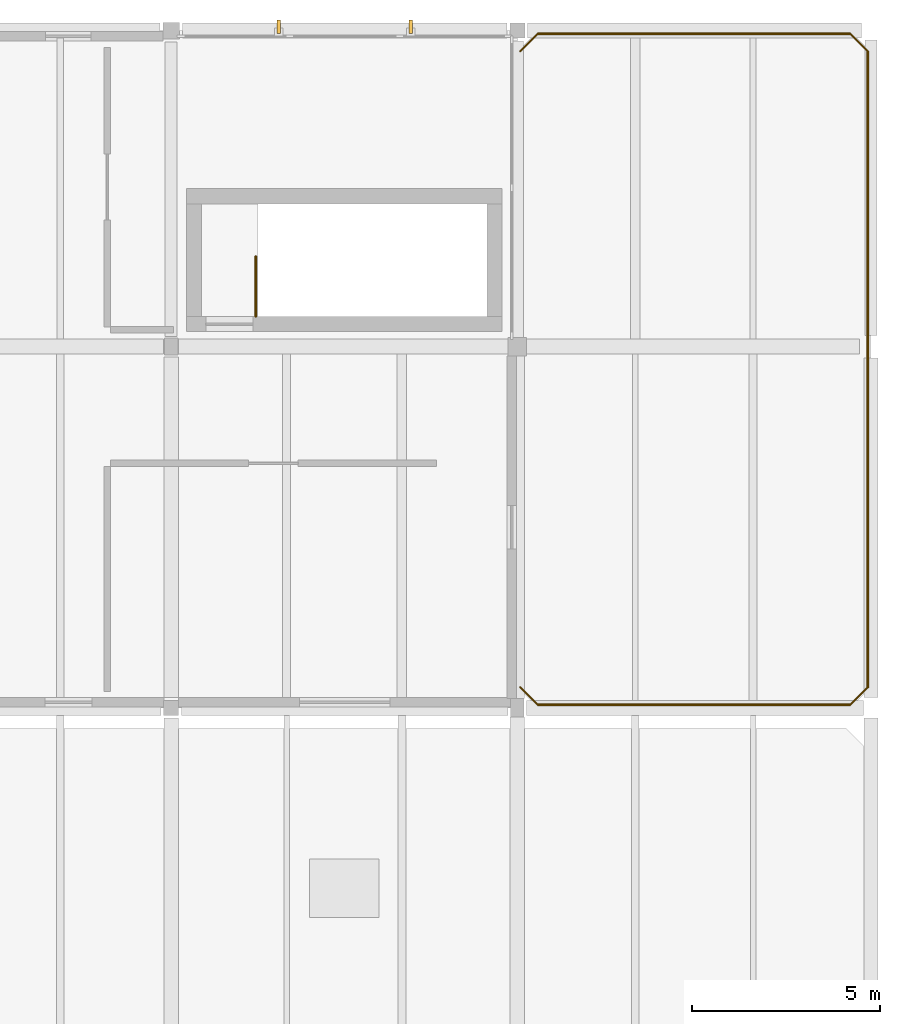
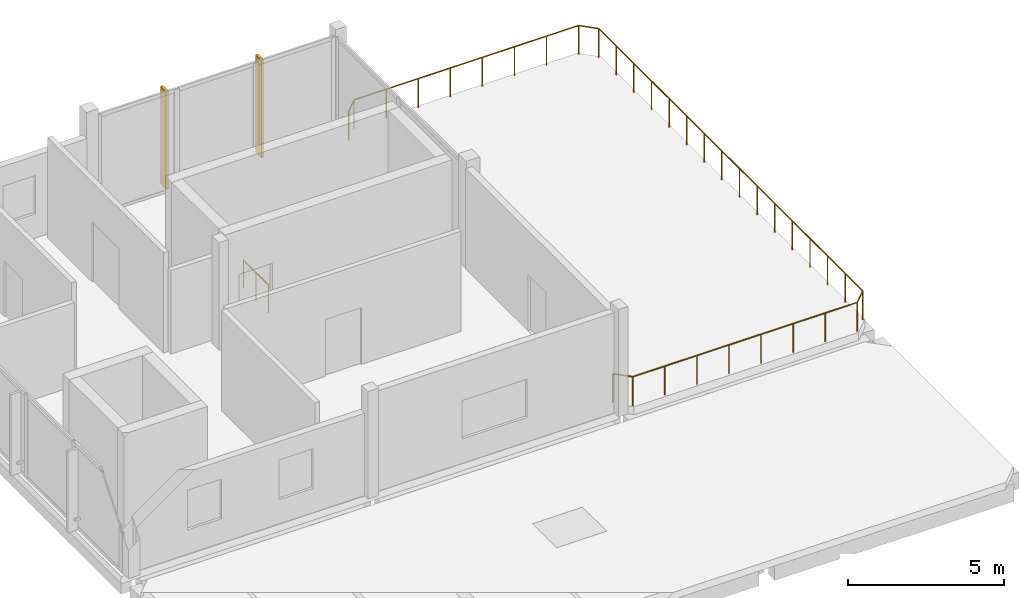
# One storey, part 35 of 35: 8 railings, 2 shading devices.
"""IFC4 building model written with IfcOpenShell, lengths in metres."""

from ifc_helpers import new_model, si_unit, direction, frame, origin, origin_2d, place, context, subcontext, project, spatial, rectangle, circle, extrude, material, type_object, element, save


model = new_model("IFC4")

# Units and contexts
model_context = context("Model", 3, precision=1e-05, world=origin(), true_north=direction((0.0, 1.0)))
body_context = subcontext(model_context, "Body", "Model", "MODEL_VIEW")
ifc_project = project(units=[si_unit("LENGTHUNIT", "METRE"), si_unit("AREAUNIT", "SQUARE_METRE"), si_unit("VOLUMEUNIT", "CUBIC_METRE"), si_unit("PLANEANGLEUNIT", "RADIAN"), si_unit("MASSUNIT", "GRAM", prefix="KILO")], contexts=[model_context])

# Site, building, storey
site_placement = place(None, origin())
site = spatial("IfcSite", under=ifc_project, at=site_placement, CompositionType="ELEMENT")
building_placement = place(site_placement, origin())
building = spatial("IfcBuilding", under=site, at=building_placement, Name="Birchvale Park Specialist Clinic", CompositionType="ELEMENT")
storey_placement = place(building_placement, frame((0.0, 0.0, 13.800048828125)))
storey = spatial("IfcBuildingStorey", under=building, at=storey_placement, Name="L03", CompositionType="ELEMENT", Elevation=13.800048828125)

# Railings
ifc_material_1 = material(Name="Brushed stainless steel and laminated glass balustrade", Category="steel")
railing_type_1 = type_object("IfcRailingType", Name="RL-BAL2", PredefinedType="BALUSTRADE", material=ifc_material_1)
railing_1_placement = place(storey_placement, frame((146.949951171875, 73.280029296875, 0.0)))
element("IfcRailing", 1, at=railing_1_placement, inside=storey, type_object=railing_type_1, Name="V6 L03 roof terrace guard balustrade 59", PredefinedType="BALUSTRADE", context=body_context, shape_type="SweptSolid", body=[
    extrude(circle(Radius=0.02392578125, at=origin_2d()), frame((0.0, 0.0, 1.1259765625), z_axis=(1.0, 0.0, 0.0), x_axis=(0.0, 1.0, 0.0)), (0.0, 0.0, 1.0), 8.300048828125),
    extrude(circle(Radius=0.02099609375, at=origin_2d()), origin(), (0.0, 0.0, 1.0), 1.101806640625),
    extrude(circle(Radius=0.02099609375, at=origin_2d()), frame((1.185791015625, 0.0, 0.0)), (0.0, 0.0, 1.0), 1.101806640625),
    extrude(circle(Radius=0.02099609375, at=origin_2d()), frame((2.371337890625, 0.0, 0.0)), (0.0, 0.0, 1.0), 1.101806640625),
    extrude(circle(Radius=0.02099609375, at=origin_2d()), frame((3.55712890625, 0.0, 0.0)), (0.0, 0.0, 1.0), 1.101806640625),
    extrude(circle(Radius=0.02099609375, at=origin_2d()), frame((4.742919921875, 0.0, 0.0)), (0.0, 0.0, 1.0), 1.101806640625),
    extrude(circle(Radius=0.02099609375, at=origin_2d()), frame((5.9287109375, 0.0, 0.0)), (0.0, 0.0, 1.0), 1.101806640625),
    extrude(circle(Radius=0.02099609375, at=origin_2d()), frame((7.1142578125, 0.0, 0.0)), (0.0, 0.0, 1.0), 1.101806640625),
    extrude(circle(Radius=0.02099609375, at=origin_2d()), frame((8.300048828125, 0.0, 0.0)), (0.0, 0.0, 1.0), 1.101806640625),
])
railing_2_placement = place(storey_placement, frame((155.25, 73.280029296875, 0.0)))
element("IfcRailing", 2, at=railing_2_placement, inside=storey, type_object=railing_type_1, Name="V6 L03 roof terrace guard balustrade 60", PredefinedType="BALUSTRADE", context=body_context, shape_type="SweptSolid", body=[
    extrude(circle(Radius=0.02392578125, at=origin_2d()), frame((0.0, 0.0, 1.1259765625), z_axis=(0.707106781187, 0.707106781187, 0.0), x_axis=(-0.707106781187, 0.707106781187, 0.0)), (0.0, 0.0, 1.0), 0.66455078125),
    extrude(circle(Radius=0.02099609375, at=origin_2d()), origin(), (0.0, 0.0, 1.0), 1.101806640625),
    extrude(circle(Radius=0.02099609375, at=origin_2d()), frame((0.469970703125, 0.469970703125, 0.0)), (0.0, 0.0, 1.0), 1.101806640625),
])
railing_3_placement = place(storey_placement, frame((155.719970703125, 73.75, 0.0)))
element("IfcRailing", 3, at=railing_3_placement, inside=storey, type_object=railing_type_1, Name="V6 L03 roof terrace guard balustrade 61", PredefinedType="BALUSTRADE", context=body_context, shape_type="SweptSolid", body=[
    extrude(circle(Radius=0.02392578125, at=origin_2d()), frame((0.0, 0.0, 1.1259765625), z_axis=(0.0, 1.0, 0.0), x_axis=(-1.0, 0.0, 0.0)), (0.0, 0.0, 1.0), 16.89990234375),
    extrude(circle(Radius=0.02099609375, at=origin_2d()), origin(), (0.0, 0.0, 1.0), 1.101806640625),
    extrude(circle(Radius=0.02099609375, at=origin_2d()), frame((0.0, 1.126708984375, 0.0)), (0.0, 0.0, 1.0), 1.101806640625),
    extrude(circle(Radius=0.02099609375, at=origin_2d()), frame((0.0, 2.25341796875, 0.0)), (0.0, 0.0, 1.0), 1.101806640625),
    extrude(circle(Radius=0.02099609375, at=origin_2d()), frame((0.0, 3.3798828125, 0.0)), (0.0, 0.0, 1.0), 1.101806640625),
    extrude(circle(Radius=0.02099609375, at=origin_2d()), frame((0.0, 4.506591796875, 0.0)), (0.0, 0.0, 1.0), 1.101806640625),
    extrude(circle(Radius=0.02099609375, at=origin_2d()), frame((0.0, 5.63330078125, 0.0)), (0.0, 0.0, 1.0), 1.101806640625),
    extrude(circle(Radius=0.02099609375, at=origin_2d()), frame((0.0, 6.760009765625, 0.0)), (0.0, 0.0, 1.0), 1.101806640625),
    extrude(circle(Radius=0.02099609375, at=origin_2d()), frame((0.0, 7.88671875, 0.0)), (0.0, 0.0, 1.0), 1.101806640625),
    extrude(circle(Radius=0.02099609375, at=origin_2d()), frame((0.0, 9.01318359375, 0.0)), (0.0, 0.0, 1.0), 1.101806640625),
    extrude(circle(Radius=0.02099609375, at=origin_2d()), frame((0.0, 10.139892578125, 0.0)), (0.0, 0.0, 1.0), 1.101806640625),
    extrude(circle(Radius=0.02099609375, at=origin_2d()), frame((0.0, 11.2666015625, 0.0)), (0.0, 0.0, 1.0), 1.101806640625),
    extrude(circle(Radius=0.02099609375, at=origin_2d()), frame((0.0, 12.393310546875, 0.0)), (0.0, 0.0, 1.0), 1.101806640625),
    extrude(circle(Radius=0.02099609375, at=origin_2d()), frame((0.0, 13.52001953125, 0.0)), (0.0, 0.0, 1.0), 1.101806640625),
    extrude(circle(Radius=0.02099609375, at=origin_2d()), frame((0.0, 14.646484375, 0.0)), (0.0, 0.0, 1.0), 1.101806640625),
    extrude(circle(Radius=0.02099609375, at=origin_2d()), frame((0.0, 15.773193359375, 0.0)), (0.0, 0.0, 1.0), 1.101806640625),
    extrude(circle(Radius=0.02099609375, at=origin_2d()), frame((0.0, 16.89990234375, 0.0)), (0.0, 0.0, 1.0), 1.101806640625),
])
railing_4_placement = place(storey_placement, frame((155.719970703125, 90.64990234375, 0.0)))
element("IfcRailing", 4, at=railing_4_placement, inside=storey, type_object=railing_type_1, Name="V6 L03 roof terrace guard balustrade 62", PredefinedType="BALUSTRADE", context=body_context, shape_type="SweptSolid", body=[
    extrude(circle(Radius=0.02392578125, at=origin_2d()), frame((0.0, 0.0, 1.1259765625), z_axis=(-0.706923140946, 0.707290373747, 0.0), x_axis=(-0.707290373747, -0.706923140946, 0.0)), (0.0, 0.0, 1.0), 0.664794921875),
    extrude(circle(Radius=0.02099609375, at=origin_2d()), origin(), (0.0, 0.0, 1.0), 1.101806640625),
    extrude(circle(Radius=0.02099609375, at=origin_2d()), frame((-0.469970703125, 0.47021484375, 0.0)), (0.0, 0.0, 1.0), 1.101806640625),
])
railing_5_placement = place(storey_placement, frame((155.25, 91.1201171875, 0.0)))
element("IfcRailing", 5, at=railing_5_placement, inside=storey, type_object=railing_type_1, Name="V6 L03 roof terrace guard balustrade 63", PredefinedType="BALUSTRADE", context=body_context, shape_type="SweptSolid", body=[
    extrude(circle(Radius=0.02392578125, at=origin_2d()), frame((0.0, 0.0, 1.1259765625), z_axis=(-1.0, 0.0, 0.0), x_axis=(0.0, -1.0, 0.0)), (0.0, 0.0, 1.0), 8.300048828125),
    extrude(circle(Radius=0.02099609375, at=origin_2d()), origin(), (0.0, 0.0, 1.0), 1.101806640625),
    extrude(circle(Radius=0.02099609375, at=origin_2d()), frame((-1.185791015625, 0.0, 0.0)), (0.0, 0.0, 1.0), 1.101806640625),
    extrude(circle(Radius=0.02099609375, at=origin_2d()), frame((-2.371337890625, 0.0, 0.0)), (0.0, 0.0, 1.0), 1.101806640625),
    extrude(circle(Radius=0.02099609375, at=origin_2d()), frame((-3.55712890625, 0.0, 0.0)), (0.0, 0.0, 1.0), 1.101806640625),
    extrude(circle(Radius=0.02099609375, at=origin_2d()), frame((-4.742919921875, 0.0, 0.0)), (0.0, 0.0, 1.0), 1.101806640625),
    extrude(circle(Radius=0.02099609375, at=origin_2d()), frame((-5.9287109375, 0.0, 0.0)), (0.0, 0.0, 1.0), 1.101806640625),
    extrude(circle(Radius=0.02099609375, at=origin_2d()), frame((-7.1142578125, 0.0, 0.0)), (0.0, 0.0, 1.0), 1.101806640625),
    extrude(circle(Radius=0.02099609375, at=origin_2d()), frame((-8.300048828125, 0.0, 0.0)), (0.0, 0.0, 1.0), 1.101806640625),
])
railing_6_placement = place(storey_placement, frame((146.949951171875, 91.1201171875, 0.0)))
element("IfcRailing", 6, at=railing_6_placement, inside=storey, type_object=railing_type_1, Name="V6 L03 roof terrace guard balustrade 64", PredefinedType="BALUSTRADE", context=body_context, shape_type="SweptSolid", body=[
    extrude(circle(Radius=0.02392578125, at=origin_2d()), frame((0.0, 0.0, 1.1259765625), z_axis=(-0.706923140946, -0.707290373747, 0.0), x_axis=(0.707290373747, -0.706923140946, 0.0)), (0.0, 0.0, 1.0), 0.664794921875),
    extrude(circle(Radius=0.02099609375, at=origin_2d()), origin(), (0.0, 0.0, 1.0), 1.101806640625),
    extrude(circle(Radius=0.02099609375, at=origin_2d()), frame((-0.469970703125, -0.47021484375, 0.0)), (0.0, 0.0, 1.0), 1.101806640625),
])
railing_7_placement = place(storey_placement, frame((146.47998046875, 73.75, 0.0)))
element("IfcRailing", 7, at=railing_7_placement, inside=storey, type_object=railing_type_1, Name="V6 L03 roof terrace guard balustrade 65", PredefinedType="BALUSTRADE", context=body_context, shape_type="SweptSolid", body=[
    extrude(circle(Radius=0.02392578125, at=origin_2d()), frame((0.0, 0.0, 1.1259765625), z_axis=(0.707106781187, -0.707106781187, 0.0), x_axis=(0.707106781187, 0.707106781187, 0.0)), (0.0, 0.0, 1.0), 0.66455078125),
    extrude(circle(Radius=0.02099609375, at=origin_2d()), origin(), (0.0, 0.0, 1.0), 1.101806640625),
    extrude(circle(Radius=0.02099609375, at=origin_2d()), frame((0.469970703125, -0.469970703125, 0.0)), (0.0, 0.0, 1.0), 1.101806640625),
])
ifc_material_2 = material(Name="Brushed stainless steel guard railing", Category="steel")
railing_type_2 = type_object("IfcRailingType", Name="RL-GRD1", PredefinedType="GUARDRAIL", material=ifc_material_2)
railing_8_placement = place(storey_placement, frame((139.449951171875, 83.60009765625, 0.0)))
element("IfcRailing", 8, at=railing_8_placement, inside=storey, type_object=railing_type_2, Name="L03 ST3 top well guard 1", PredefinedType="GUARDRAIL", context=body_context, shape_type="SweptSolid", body=[
    extrude(circle(Radius=0.02392578125, at=origin_2d()), frame((0.0, 0.0, 1.076171875), z_axis=(0.0, 1.0, 0.0), x_axis=(-1.0, 0.0, 0.0)), (0.0, 0.0, 1.0), 1.599853515625),
    extrude(circle(Radius=0.02099609375, at=origin_2d()), origin(), (0.0, 0.0, 1.0), 1.052001953125),
    extrude(circle(Radius=0.02099609375, at=origin_2d()), frame((0.0, 0.7998046875, 0.0)), (0.0, 0.0, 1.0), 1.052001953125),
    extrude(circle(Radius=0.02099609375, at=origin_2d()), frame((0.0, 1.599853515625, 0.0)), (0.0, 0.0, 1.0), 1.052001953125),
])

# Shading devices
ifc_material_3 = material(Name="Glulam GL28h", Category="wood")
shading_device_type = type_object("IfcShadingDeviceType", Name="SHD-FIN1", PredefinedType="USERDEFINED", material=ifc_material_3)
for number, where, z_axis, x_axis, name in (
    (9, (143.569580078125, 91.304931640625, 0.0498046875), (0.0, 0.0, 1.0), (0.0, 1.0, 0.0), "V6 L03 glulam solar fin 51"),
    (10, (140.055419921875, 91.304931640625, 0.0498046875), (0.0, 0.0, 1.0), (0.0, 1.0, 0.0), "V6 L03 glulam solar fin 52"),
):
    element("IfcShadingDevice", number, at=place(storey_placement, frame(where, z_axis=z_axis, x_axis=x_axis)), inside=storey, type_object=shading_device_type, Name=name, ObjectType="FIN", PredefinedType="USERDEFINED", context=body_context, shape_type="SweptSolid", body=[
        extrude(rectangle(XDim=0.360107421875, YDim=0.090087890625, at=origin_2d()), origin(), (0.0, 0.0, 1.0), 3.820068359375),
    ])

save(model, "model.ifc")
